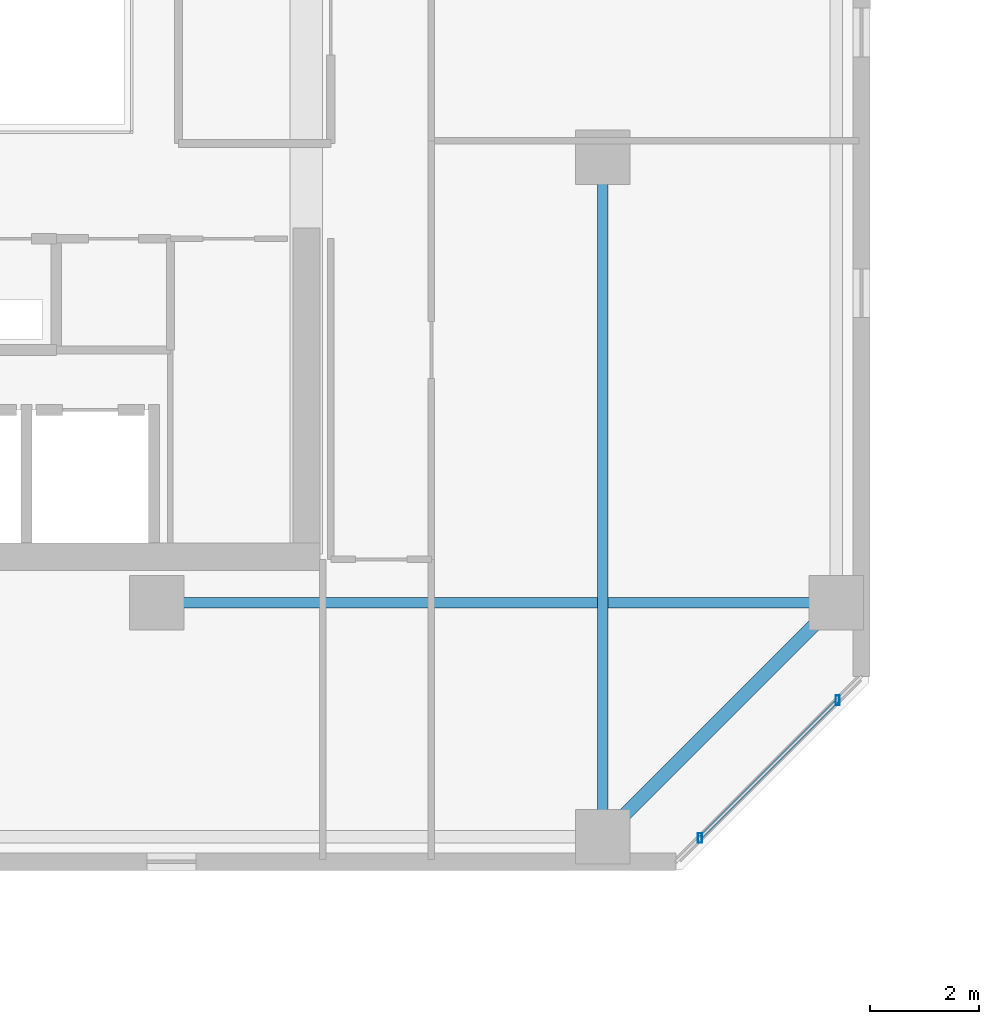
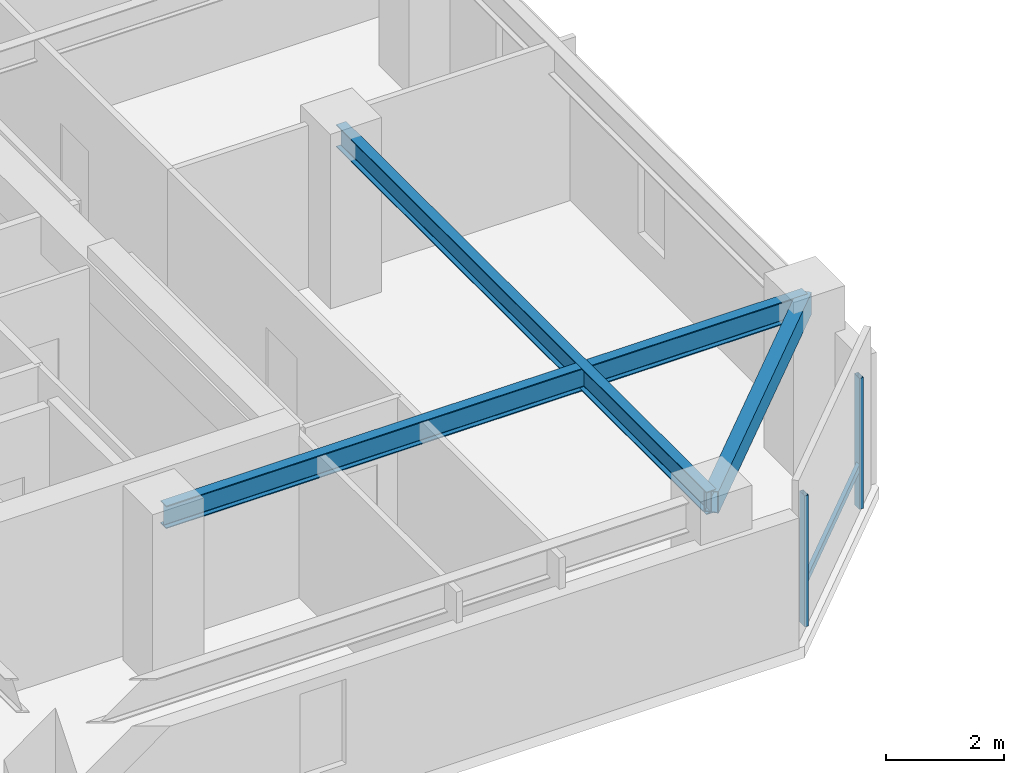
# One storey, part 5 of 33: 3 beams, 3 members, 1 element without a shape of its own.
"""IFC4 building model written with IfcOpenShell, lengths in metres."""

from ifc_helpers import new_model, si_unit, direction, frame, origin, origin_2d, place, context, subcontext, project, spatial, hollow_rectangle, i_section, extrude, material, material_profile, profile_set, type_object, element, aggregate, save


model = new_model("IFC4")

# Units and contexts
model_context = context("Model", 3, precision=1e-05, world=origin(), true_north=direction((0.0, 1.0)))
body_context = subcontext(model_context, "Body", "Model", "MODEL_VIEW")
ifc_project = project(units=[si_unit("LENGTHUNIT", "METRE"), si_unit("AREAUNIT", "SQUARE_METRE"), si_unit("VOLUMEUNIT", "CUBIC_METRE"), si_unit("PLANEANGLEUNIT", "RADIAN"), si_unit("MASSUNIT", "GRAM", prefix="KILO")], contexts=[model_context])

# Site, building, storey
site_placement = place(None, origin())
site = spatial("IfcSite", under=ifc_project, at=site_placement, CompositionType="ELEMENT")
building_placement = place(site_placement, origin())
building = spatial("IfcBuilding", under=site, at=building_placement, Name="Thornwick Lancets Civic Towers", CompositionType="ELEMENT")
storey_placement = place(building_placement, frame((0.0, 0.0, 210.89990234375)))
storey = spatial("IfcBuildingStorey", under=building, at=storey_placement, Name="L56", CompositionType="ELEMENT", Elevation=210.89990234375)

# Beams
ifc_material_1 = material(Name="Steel S355JR", Category="steel")
ifc_material_profile_1 = material_profile(ifc_material_1, i_section(OverallWidth=0.19287109375, OverallDepth=0.46728515625, WebThickness=0.011474609375, FlangeThickness=0.01953125, FilletRadius=0.01025390625, at=origin_2d()), Name="UKB 457x191x98")
ifc_profile_set_1 = profile_set([ifc_material_profile_1], Name="Steel S355JR")
beam_type_1 = type_object("IfcBeamType", Name="BM_JOIST_457_98", PredefinedType="JOIST", material=ifc_profile_set_1)
for number, where, z_axis, x_axis, name in (
    (1, (38.5, 22.199951171875, 3.12646484375), (0.0, -1.0, 0.0), (1.0, 0.0, 0.0), "BM-RADIN-L56-A03"),
    (2, (30.300048828125, 14.0, 3.12646484375), (1.0, 0.0, 0.0), (0.0, 1.0, 0.0), "BM-RADIN-L56-A04"),
):
    element("IfcBeam", number, at=place(storey_placement, frame(where, z_axis=z_axis, x_axis=x_axis)), inside=storey, type_object=beam_type_1, Name=name, PredefinedType="JOIST", context=body_context, shape_type="SweptSolid", body=[
        extrude(i_section(OverallWidth=0.19287109375, OverallDepth=0.46728515625, WebThickness=0.011474609375, FlangeThickness=0.01953125, FilletRadius=0.01025390625, at=origin_2d()), origin(), (0.0, 0.0, 1.0), 12.5),
    ])
ifc_material_profile_2 = material_profile(ifc_material_1, hollow_rectangle(XDim=0.25, YDim=0.449951171875, WallThickness=0.01611328125, at=origin_2d()), Name="RHS 450x250x16")
ifc_profile_set_2 = profile_set([ifc_material_profile_2], Name="Steel S355JR")
beam_type_2 = type_object("IfcBeamType", Name="BM_RING_RHS450", PredefinedType="BEAM", material=ifc_profile_set_2)
beam_placement = place(storey_placement, frame((38.5, 9.699951171875, 3.135009765625), z_axis=(0.707106781187, 0.707106781187, 0.0), x_axis=(-0.707106781187, 0.707106781187, 0.0)))
element("IfcBeam", 3, at=beam_placement, inside=storey, type_object=beam_type_2, Name="BM-CHAMF-L56-A-C0", PredefinedType="BEAM", context=body_context, shape_type="SweptSolid", body=[
    extrude(hollow_rectangle(XDim=0.25, YDim=0.449951171875, WallThickness=0.01611328125, at=origin_2d()), origin(), (0.0, 0.0, 1.0), 6.081298828125),
])

# Curtain wall, members
ifc_material_2 = material(Name="High-zone chamfered-corner unitised glass curtain wall", Category="glass")
curtain_wall_type = type_object("IfcCurtainWallType", Name="CW_SYS_05", PredefinedType="NOTDEFINED", material=ifc_material_2)
curtain_wall_placement = place(storey_placement, origin())
curtain_wall = element("IfcCurtainWall", 4, at=curtain_wall_placement, inside=storey, type_object=curtain_wall_type, Name="L56 Curtain Wall CW-L56-A-E1", PredefinedType="NOTDEFINED")
ifc_material_3 = material(Name="Thermally broken bronze aluminium S355", Category="steel")
ifc_material_profile_3 = material_profile(ifc_material_3, hollow_rectangle(XDim=0.074951171875, YDim=0.179931640625, WallThickness=0.006103515625, at=origin_2d()), Name="RHS 180x75x6")
ifc_profile_set_3 = profile_set([ifc_material_profile_3], Name="Thermally broken bronze aluminium S355")
member_type_1 = type_object("IfcMemberType", Name="CW_MUL_180", PredefinedType="MULLION", material=ifc_profile_set_3)
member_1_placement = place(storey_placement, frame((40.29150390625, 9.676025390625, 0.0), z_axis=(0.0, 0.0, 1.0), x_axis=(1.0, 0.0, 0.0)))
member_1 = element("IfcMember", 5, at=member_1_placement, type_object=member_type_1, Name="CW-L56-A-E1 Mullion 0", PredefinedType="MULLION", context=body_context, shape_type="SweptSolid", body=[
    extrude(hollow_rectangle(XDim=0.074951171875, YDim=0.179931640625, WallThickness=0.006103515625, at=origin_2d()), origin(), (0.0, 0.0, 1.0), 2.7001953125),
])
member_2_placement = place(storey_placement, frame((42.823974609375, 12.20849609375, 0.0), z_axis=(0.0, 0.0, 1.0), x_axis=(1.0, 0.0, 0.0)))
member_2 = element("IfcMember", 6, at=member_2_placement, type_object=member_type_1, Name="CW-L56-A-E1 Mullion 1", PredefinedType="MULLION", context=body_context, shape_type="SweptSolid", body=[
    extrude(hollow_rectangle(XDim=0.074951171875, YDim=0.179931640625, WallThickness=0.006103515625, at=origin_2d()), origin(), (0.0, 0.0, 1.0), 2.7001953125),
])
ifc_material_profile_4 = material_profile(ifc_material_3, hollow_rectangle(XDim=0.074951171875, YDim=0.14990234375, WallThickness=0.0048828125, at=origin_2d()), Name="RHS 150x75x5")
ifc_profile_set_4 = profile_set([ifc_material_profile_4], Name="Thermally broken bronze aluminium S355")
member_type_2 = type_object("IfcMemberType", Name="CW_TRN_150", PredefinedType="USERDEFINED", material=ifc_profile_set_4)
member_3_placement = place(storey_placement, frame((40.305908203125, 9.690185546875, 0.85009765625), z_axis=(0.707106781187, 0.707106781187, 0.0), x_axis=(-0.707106781187, 0.707106781187, 0.0)))
member_3 = element("IfcMember", 7, at=member_3_placement, type_object=member_type_2, Name="CW-L56-A-E1 Transom 0", ObjectType="TRANSOM", PredefinedType="USERDEFINED", context=body_context, shape_type="SweptSolid", body=[
    extrude(hollow_rectangle(XDim=0.074951171875, YDim=0.14990234375, WallThickness=0.0048828125, at=origin_2d()), origin(), (0.0, 0.0, 1.0), 3.541015625),
])
aggregate(curtain_wall, [member_1, member_2, member_3])

save(model, "model.ifc")
